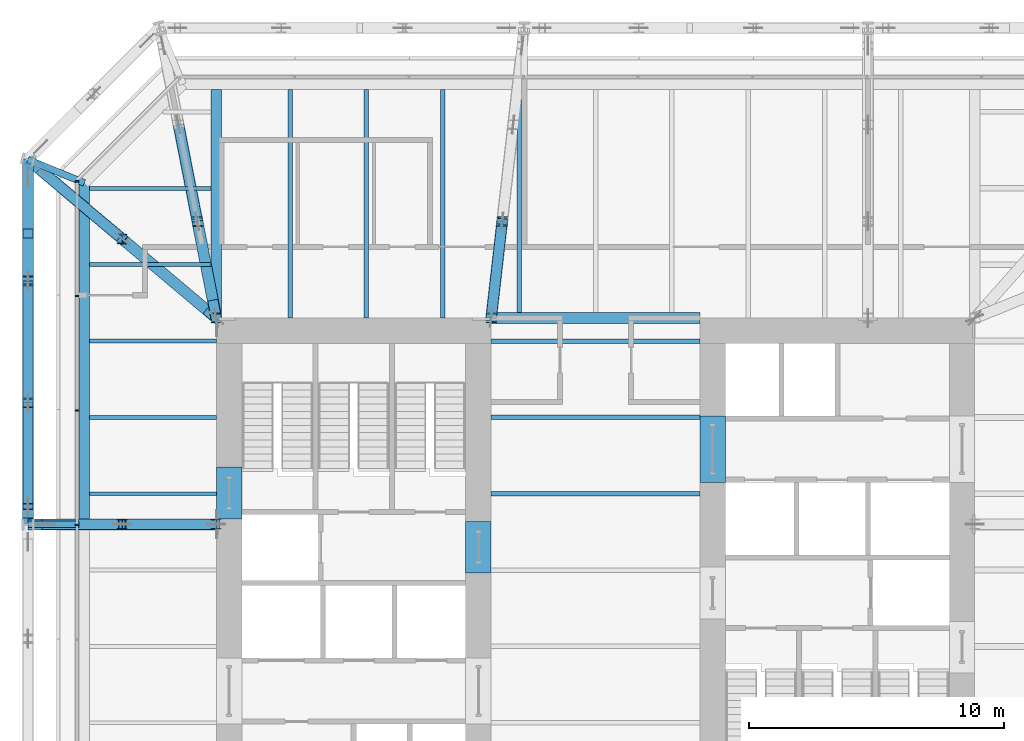
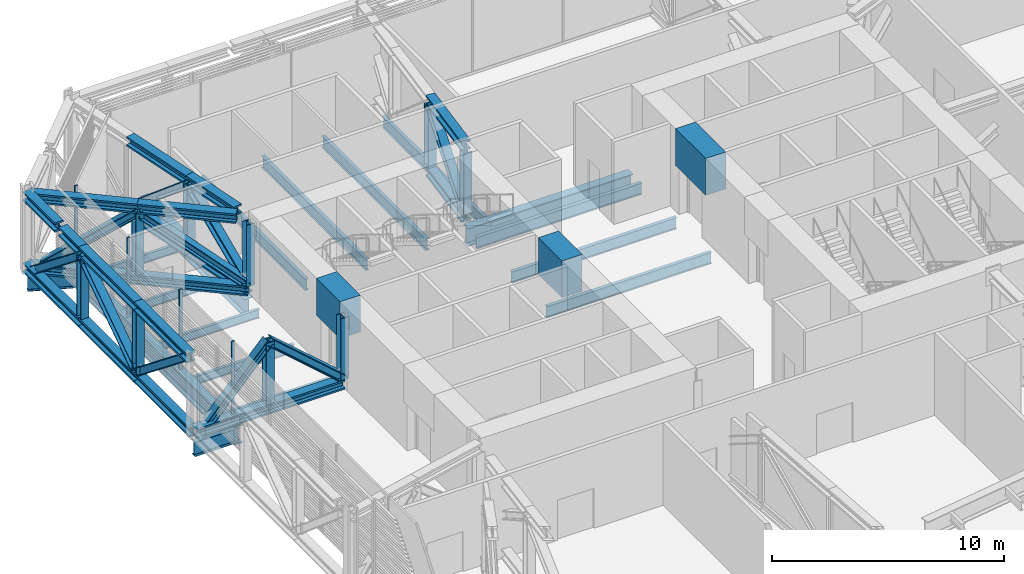
# One storey, part 14 of 31: 39 beams, 23 members, 1 element without a shape of its own.
"""IFC4 building model written with IfcOpenShell, lengths in metres."""

from ifc_helpers import new_model, si_unit, direction, frame, origin, origin_2d, place, context, subcontext, project, spatial, rectangle, i_section, extrude, material, layer, layer_set, material_profile, profile_set, type_object, element, aggregate, save


model = new_model("IFC4")

# Units and contexts
model_context = context("Model", 3, precision=1e-05, world=origin(), true_north=direction((0.0, 1.0)))
body_context = subcontext(model_context, "Body", "Model", "MODEL_VIEW")
ifc_project = project(units=[si_unit("LENGTHUNIT", "METRE"), si_unit("AREAUNIT", "SQUARE_METRE"), si_unit("VOLUMEUNIT", "CUBIC_METRE"), si_unit("PLANEANGLEUNIT", "RADIAN"), si_unit("MASSUNIT", "GRAM", prefix="KILO")], contexts=[model_context])

# Site, building, storey
site_placement = place(None, origin())
site = spatial("IfcSite", under=ifc_project, at=site_placement, CompositionType="ELEMENT")
building_placement = place(site_placement, origin())
building = spatial("IfcBuilding", under=site, at=building_placement, Name="Millrace Tower", CompositionType="ELEMENT")
storey_placement = place(building_placement, frame((0.0, 0.0, 120.39990234375)))
storey = spatial("IfcBuildingStorey", under=building, at=storey_placement, Name="L26", CompositionType="ELEMENT", Elevation=120.39990234375)

# Beams
ifc_material_1 = material(Name="Steel ASTM A992 Grade 50", Category="steel")
ifc_material_profile_1 = material_profile(ifc_material_1, i_section(OverallWidth=0.431884765625, OverallDepth=0.497802734375, WebThickness=0.0556640625, FlangeThickness=0.0888671875, FilletRadius=0.01513671875, at=origin_2d()))
ifc_profile_set_1 = profile_set([ifc_material_profile_1], Name="Steel ASTM A992 Grade 50")
beam_type_1 = type_object("IfcBeamType", Name="Belt truss chord W14x500", PredefinedType="BEAM", material=ifc_profile_set_1)
for number, where, z_axis, x_axis, name in (
    (1, (-22.300048828125, 16.12841796875, 0.2490234375), (0.0, -1.0, 0.0), (1.0, 0.0, 0.0), "BLT-L26-R14-B01"),
    (2, (-22.300048828125, 11.352294921875, 0.2490234375), (0.0, -1.0, 0.0), (1.0, 0.0, 0.0), "BLT-L26-R14-B02"),
    (3, (-22.300048828125, 11.352294921875, 3.9912109375), (0.0, -1.0, 0.0), (1.0, 0.0, 0.0), "BLT-L26-R14-T02"),
    (4, (-22.300048828125, 6.576171875, 0.2490234375), (0.0, -1.0, 0.0), (1.0, 0.0, 0.0), "BLT-L26-R14-B03"),
):
    element("IfcBeam", number, at=place(storey_placement, frame(where, z_axis=z_axis, x_axis=x_axis)), inside=storey, type_object=beam_type_1, Name=name, PredefinedType="BEAM", context=body_context, shape_type="SweptSolid", body=[
        extrude(i_section(OverallWidth=0.431884765625, OverallDepth=0.497802734375, WebThickness=0.0556640625, FlangeThickness=0.0888671875, FilletRadius=0.01513671875, at=origin_2d()), origin(), (0.0, 0.0, 1.0), 4.776123046875),
    ])
beam_1_placement = place(storey_placement, frame((-22.300048828125, 16.12841796875, 3.9912109375), z_axis=(0.0, -1.0, 0.0), x_axis=(1.0, 0.0, 0.0)))
element("IfcBeam", 5, at=beam_1_placement, inside=storey, type_object=beam_type_1, Name="BLT-L26-R14-T01-a", PredefinedType="BEAM", context=body_context, shape_type="SweptSolid", body=[
    extrude(i_section(OverallWidth=0.431884765625, OverallDepth=0.497802734375, WebThickness=0.0556640625, FlangeThickness=0.0888671875, FilletRadius=0.01513671875, at=origin_2d()), origin(), (0.0, 0.0, 1.0), 2.72802734375),
])
beam_2_placement = place(storey_placement, frame((-22.300048828125, 13.055419921875, 3.9912109375), z_axis=(0.0, -1.0, 0.0), x_axis=(1.0, 0.0, 0.0)))
element("IfcBeam", 6, at=beam_2_placement, inside=storey, type_object=beam_type_1, Name="BLT-L26-R14-T01-b", PredefinedType="BEAM", context=body_context, shape_type="SweptSolid", body=[
    extrude(i_section(OverallWidth=0.431884765625, OverallDepth=0.497802734375, WebThickness=0.0556640625, FlangeThickness=0.0888671875, FilletRadius=0.01513671875, at=origin_2d()), origin(), (0.0, 0.0, 1.0), 1.703125),
])
beam_3_placement = place(storey_placement, frame((-22.300048828125, 6.576171875, 3.9912109375), z_axis=(0.0, -1.0, 0.0), x_axis=(1.0, 0.0, 0.0)))
element("IfcBeam", 7, at=beam_3_placement, inside=storey, type_object=beam_type_1, Name="BLT-L26-R14-T03", PredefinedType="BEAM", context=body_context, shape_type="SweptSolid", body=[
    extrude(i_section(OverallWidth=0.431884765625, OverallDepth=0.497802734375, WebThickness=0.0556640625, FlangeThickness=0.0888671875, FilletRadius=0.01513671875, at=origin_2d()), origin(), (0.0, 0.0, 1.0), 4.53173828125),
])

# Members
ifc_material_2 = material(Name="Steel ASTM A992 Grade 50", Category="steel")
ifc_material_profile_2 = material_profile(ifc_material_2, i_section(OverallWidth=0.4013671875, OverallDepth=0.398681640625, WebThickness=0.02490234375, FlangeThickness=0.03955078125, FilletRadius=0.01513671875, at=origin_2d()))
ifc_profile_set_2 = profile_set([ifc_material_profile_2], Name="Steel ASTM A992 Grade 50")
member_type_1 = type_object("IfcMemberType", Name="Belt truss diagonal W14x211", PredefinedType="BRACE", material=ifc_profile_set_2)
member_1_placement = place(storey_placement, frame((-22.300048828125, 15.428466796875, 0.498046875), z_axis=(0.0, -0.782439131655, 0.62272707124), x_axis=(1.0, 0.0, 0.0)))
element("IfcMember", 8, at=member_1_placement, inside=storey, type_object=member_type_1, Name="BLT-L26-R14-D01", PredefinedType="BRACE", context=body_context, shape_type="SweptSolid", body=[
    extrude(i_section(OverallWidth=0.4013671875, OverallDepth=0.398681640625, WebThickness=0.02490234375, FlangeThickness=0.03955078125, FilletRadius=0.01513671875, at=origin_2d()), origin(), (0.0, 0.0, 1.0), 5.20947265625),
])
member_2_placement = place(storey_placement, frame((-22.300048828125, 6.576171875, 0.498046875), z_axis=(0.0, 0.827218174589, 0.561880851809), x_axis=(-1.0, 0.0, 0.0)))
element("IfcMember", 9, at=member_2_placement, inside=storey, type_object=member_type_1, Name="BLT-L26-R14-D02", PredefinedType="BRACE", context=body_context, shape_type="SweptSolid", body=[
    extrude(i_section(OverallWidth=0.4013671875, OverallDepth=0.398681640625, WebThickness=0.02490234375, FlangeThickness=0.03955078125, FilletRadius=0.01513671875, at=origin_2d()), origin(), (0.0, 0.0, 1.0), 5.773681640625),
])
member_3_placement = place(storey_placement, frame((-22.300048828125, 6.576171875, 0.498046875), z_axis=(0.0, -0.782439131655, 0.62272707124), x_axis=(1.0, 0.0, 0.0)))
element("IfcMember", 10, at=member_3_placement, inside=storey, type_object=member_type_1, Name="BLT-L26-R14-D03", PredefinedType="BRACE", context=body_context, shape_type="SweptSolid", body=[
    extrude(i_section(OverallWidth=0.4013671875, OverallDepth=0.398681640625, WebThickness=0.02490234375, FlangeThickness=0.03955078125, FilletRadius=0.01513671875, at=origin_2d()), origin(), (0.0, 0.0, 1.0), 5.20947265625),
])
ifc_material_3 = material(Name="Steel ASTM A992 Grade 50", Category="steel")
ifc_material_profile_3 = material_profile(ifc_material_3, i_section(OverallWidth=0.398681640625, OverallDepth=0.385986328125, WebThickness=0.02099609375, FlangeThickness=0.033203125, FilletRadius=0.01513671875, at=origin_2d()))
ifc_profile_set_3 = profile_set([ifc_material_profile_3], Name="Steel ASTM A992 Grade 50")
member_type_2 = type_object("IfcMemberType", Name="Belt truss post W14x176", PredefinedType="POST", material=ifc_profile_set_3)
for number, where, z_axis, x_axis, name in (
    (11, (-22.300048828125, 11.352294921875, 0.498046875), (0.0, 0.0, 1.0), (1.0, 0.0, 0.0), "BLT-L26-R14-V01"),
    (12, (-22.300048828125, 6.576171875, 0.498046875), (0.0, 0.0, 1.0), (1.0, 0.0, 0.0), "BLT-L26-R14-V02"),
):
    element("IfcMember", number, at=place(storey_placement, frame(where, z_axis=z_axis, x_axis=x_axis)), inside=storey, type_object=member_type_2, Name=name, PredefinedType="POST", context=body_context, shape_type="SweptSolid", body=[
        extrude(i_section(OverallWidth=0.398681640625, OverallDepth=0.385986328125, WebThickness=0.02099609375, FlangeThickness=0.033203125, FilletRadius=0.01513671875, at=origin_2d()), origin(), (0.0, 0.0, 1.0), 3.244140625),
    ])

# Curtain wall, members
ifc_material_4 = material(Name="Aluminium and glass", Category="aluminium")
ifc_layer = layer(ifc_material_4, 0.14990234375)
ifc_layer_set = layer_set([ifc_layer], Name="Aluminium and glass")
curtain_wall_type = type_object("IfcCurtainWallType", Name="CW-5 truss and plant storey louvred infill", PredefinedType="NOTDEFINED", material=ifc_layer_set)
curtain_wall_placement = place(storey_placement, origin())
curtain_wall = element("IfcCurtainWall", 13, at=curtain_wall_placement, inside=storey, type_object=curtain_wall_type, Name="Curtain wall B-F08 L26", PredefinedType="NOTDEFINED")
ifc_material_5 = material(Name="Aluminium", Category="aluminium")
ifc_material_profile_4 = material_profile(ifc_material_5, rectangle(XDim=0.06494140625, YDim=0.14990234375, at=origin_2d()))
ifc_profile_set_4 = profile_set([ifc_material_profile_4], Name="Aluminium")
member_type_3 = type_object("IfcMemberType", Name="CW-5 truss and plant storey louvred infill mullion", PredefinedType="MULLION", material=ifc_profile_set_4)
member_4_placement = place(storey_placement, frame((-20.375, 15.267578125, 0.14013671875), z_axis=(0.0, 0.0, 1.0), x_axis=(0.0, -1.0, 0.0)))
member_4 = element("IfcMember", 14, at=member_4_placement, type_object=member_type_3, Name="CW5 mullion B-F08.1", PredefinedType="MULLION", context=body_context, shape_type="SweptSolid", body=[
    extrude(rectangle(XDim=0.06494140625, YDim=0.14990234375, at=origin_2d()), origin(), (0.0, 0.0, 1.0), 4.199951171875),
])
member_5_placement = place(storey_placement, frame((-20.375, 10.767578125, 0.14013671875), z_axis=(0.0, 0.0, 1.0), x_axis=(0.0, -1.0, 0.0)))
member_5 = element("IfcMember", 15, at=member_5_placement, type_object=member_type_3, Name="CW5 mullion B-F08.2", PredefinedType="MULLION", context=body_context, shape_type="SweptSolid", body=[
    extrude(rectangle(XDim=0.06494140625, YDim=0.14990234375, at=origin_2d()), origin(), (0.0, 0.0, 1.0), 4.199951171875),
])
member_6_placement = place(storey_placement, frame((-20.375, 6.267578125, 0.14013671875), z_axis=(0.0, 0.0, 1.0), x_axis=(0.0, -1.0, 0.0)))
member_6 = element("IfcMember", 16, at=member_6_placement, type_object=member_type_3, Name="CW5 mullion B-F08.3", PredefinedType="MULLION", context=body_context, shape_type="SweptSolid", body=[
    extrude(rectangle(XDim=0.06494140625, YDim=0.14990234375, at=origin_2d()), origin(), (0.0, 0.0, 1.0), 4.199951171875),
])
member_7_placement = place(storey_placement, frame((-20.375, 1.767578125, 0.14013671875), z_axis=(0.0, 0.0, 1.0), x_axis=(0.0, -1.0, 0.0)))
member_7 = element("IfcMember", 17, at=member_7_placement, type_object=member_type_3, Name="CW5 mullion B-F08.4", PredefinedType="MULLION", context=body_context, shape_type="SweptSolid", body=[
    extrude(rectangle(XDim=0.06494140625, YDim=0.14990234375, at=origin_2d()), origin(), (0.0, 0.0, 1.0), 4.199951171875),
])
aggregate(curtain_wall, [member_4, member_5, member_6, member_7])

# Beams
ifc_material_6 = material(Name="Concrete C80", Category="concrete")
ifc_material_profile_5 = material_profile(ifc_material_6, rectangle(XDim=1.0, YDim=1.93994140625, at=origin_2d()))
ifc_profile_set_5 = profile_set([ifc_material_profile_5], Name="Concrete C80")
beam_type_2 = type_object("IfcBeamType", Name="Coupling beam 1000 x 1940 Concrete C80, 1300 opening", PredefinedType="BEAM", material=ifc_profile_set_5)
beam_4_placement = place(storey_placement, frame((-14.39990234375, 2.011474609375, 3.3701171875), z_axis=(0.0, 1.0, 0.0), x_axis=(-1.0, 0.0, 0.0)))
element("IfcBeam", 18, at=beam_4_placement, inside=storey, type_object=beam_type_2, Name="Coupling beam W L26", PredefinedType="BEAM", context=body_context, shape_type="SweptSolid", body=[
    extrude(rectangle(XDim=1.0, YDim=1.93994140625, at=origin_2d()), origin(), (0.0, 0.0, 1.0), 2.037109375),
])
beam_5_placement = place(storey_placement, frame((-4.60009765625, -0.118408203125, 3.3701171875), z_axis=(0.0, 1.0, 0.0), x_axis=(-1.0, 0.0, 0.0)))
element("IfcBeam", 19, at=beam_5_placement, inside=storey, type_object=beam_type_2, Name="Coupling beam W L26", PredefinedType="BEAM", context=body_context, shape_type="SweptSolid", body=[
    extrude(rectangle(XDim=1.0, YDim=1.93994140625, at=origin_2d()), origin(), (0.0, 0.0, 1.0), 2.036865234375),
])
ifc_material_7 = material(Name="Concrete C80", Category="concrete")
ifc_material_profile_6 = material_profile(ifc_material_7, rectangle(XDim=1.0, YDim=1.93994140625, at=origin_2d()))
ifc_profile_set_6 = profile_set([ifc_material_profile_6], Name="Concrete C80")
beam_type_3 = type_object("IfcBeamType", Name="Coupling beam 1000 x 1940 Concrete C80, 2000 opening", PredefinedType="BEAM", material=ifc_profile_set_6)
beam_6_placement = place(storey_placement, frame((4.60009765625, 6.050048828125, 3.3701171875), z_axis=(0.0, -1.0, 0.0), x_axis=(1.0, 0.0, 0.0)))
element("IfcBeam", 20, at=beam_6_placement, inside=storey, type_object=beam_type_3, Name="Coupling beam E L26", PredefinedType="BEAM", context=body_context, shape_type="SweptSolid", body=[
    extrude(rectangle(XDim=1.0, YDim=1.93994140625, at=origin_2d()), origin(), (0.0, 0.0, 1.0), 2.60009765625),
])
ifc_material_8 = material(Name="Steel ASTM A992 Grade 50", Category="steel")
ifc_material_profile_7 = material_profile(ifc_material_8, i_section(OverallWidth=0.15234375, OverallDepth=0.449462890625, WebThickness=0.007568359375, FlangeThickness=0.0107421875, FilletRadius=0.01025390625, at=origin_2d()))
ifc_profile_set_7 = profile_set([ifc_material_profile_7], Name="Steel ASTM A992 Grade 50")
beam_type_4 = type_object("IfcBeamType", Name="Floor beam W18x35", PredefinedType="JOIST", material=ifc_profile_set_7)
for number, where, z_axis, x_axis, name in (
    (21, (-19.87841796875, 3.0, -0.474609375), (1.0, 0.0, 0.0), (0.0, 1.0, 0.0), "BM-B-L26-S1-S026"),
    (22, (-19.87841796875, 6.0, -0.474609375), (1.0, 0.0, 0.0), (0.0, 1.0, 0.0), "BM-B-L26-S1-S029"),
    (23, (-19.87841796875, 9.0, -0.474609375), (1.0, 0.0, 0.0), (0.0, 1.0, 0.0), "BM-B-L26-S1-S032"),
):
    element("IfcBeam", number, at=place(storey_placement, frame(where, z_axis=z_axis, x_axis=x_axis)), inside=storey, type_object=beam_type_4, Name=name, PredefinedType="JOIST", context=body_context, shape_type="SweptSolid", body=[
        extrude(i_section(OverallWidth=0.15234375, OverallDepth=0.449462890625, WebThickness=0.007568359375, FlangeThickness=0.0107421875, FilletRadius=0.01025390625, at=origin_2d()), origin(), (0.0, 0.0, 1.0), 4.978515625),
    ])
for number, where, z_axis, x_axis, name in (
    (24, (-19.87841796875, 12.0, -0.474609375), (1.0, 0.0, 0.0), (0.0, 1.0, 0.0), "BM-B-L26-S1-S034"),
    (25, (-19.87841796875, 15.0, -0.474609375), (1.0, 0.0, 0.0), (0.0, 1.0, 0.0), "BM-B-L26-S1-S036"),
):
    element("IfcBeam", number, at=place(storey_placement, frame(where, z_axis=z_axis, x_axis=x_axis)), inside=storey, type_object=beam_type_4, Name=name, PredefinedType="JOIST", context=body_context, shape_type="SweptSolid", body=[
        extrude(i_section(OverallWidth=0.15234375, OverallDepth=0.449462890625, WebThickness=0.007568359375, FlangeThickness=0.0107421875, FilletRadius=0.01025390625, at=origin_2d()), origin(), (0.0, 0.0, 1.0), 4.766357421875),
    ])
ifc_material_9 = material(Name="Steel ASTM A992 Grade 50", Category="steel")
ifc_material_profile_8 = material_profile(ifc_material_9, i_section(OverallWidth=0.177978515625, OverallDepth=0.599365234375, WebThickness=0.010009765625, FlangeThickness=0.012939453125, FilletRadius=0.012939453125, at=origin_2d()))
ifc_profile_set_8 = profile_set([ifc_material_profile_8], Name="Steel ASTM A992 Grade 50")
beam_type_5 = type_object("IfcBeamType", Name="Floor beam W24x55", PredefinedType="JOIST", material=ifc_profile_set_8)
for number, where, z_axis, x_axis, name in (
    (26, (-4.10009765625, 3.0, -0.549560546875), (1.0, 0.0, 0.0), (0.0, 1.0, 0.0), "BM-B-L26-S1-S025"),
    (27, (-4.10009765625, 6.0, -0.549560546875), (1.0, 0.0, 0.0), (0.0, 1.0, 0.0), "BM-B-L26-S1-S028"),
    (28, (-4.10009765625, 9.0, -0.549560546875), (1.0, 0.0, 0.0), (0.0, 1.0, 0.0), "BM-B-L26-S1-S031"),
):
    element("IfcBeam", number, at=place(storey_placement, frame(where, z_axis=z_axis, x_axis=x_axis)), inside=storey, type_object=beam_type_5, Name=name, PredefinedType="JOIST", context=body_context, shape_type="SweptSolid", body=[
        extrude(i_section(OverallWidth=0.177978515625, OverallDepth=0.599365234375, WebThickness=0.010009765625, FlangeThickness=0.012939453125, FilletRadius=0.012939453125, at=origin_2d()), origin(), (0.0, 0.0, 1.0), 8.2001953125),
    ])
for number, where, z_axis, x_axis, name in (
    (29, (-12.0, 9.89990234375, -0.549560546875), (0.0, 1.0, 0.0), (-1.0, 0.0, 0.0), "BM-B-L26-S1-S040"),
    (30, (-9.0, 9.89990234375, -0.549560546875), (0.0, 1.0, 0.0), (-1.0, 0.0, 0.0), "BM-B-L26-S1-S042"),
    (31, (-6.0, 9.89990234375, -0.549560546875), (0.0, 1.0, 0.0), (-1.0, 0.0, 0.0), "BM-B-L26-S1-S044"),
):
    element("IfcBeam", number, at=place(storey_placement, frame(where, z_axis=z_axis, x_axis=x_axis)), inside=storey, type_object=beam_type_5, Name=name, PredefinedType="JOIST", context=body_context, shape_type="SweptSolid", body=[
        extrude(i_section(OverallWidth=0.177978515625, OverallDepth=0.599365234375, WebThickness=0.010009765625, FlangeThickness=0.012939453125, FilletRadius=0.012939453125, at=origin_2d()), origin(), (0.0, 0.0, 1.0), 8.978515625),
    ])
beam_7_placement = place(storey_placement, frame((-3.0, 10.112060546875, -0.549560546875), z_axis=(0.0, 1.0, 0.0), x_axis=(-1.0, 0.0, 0.0)))
element("IfcBeam", 32, at=beam_7_placement, inside=storey, type_object=beam_type_5, Name="BM-B-L26-S1-S046", PredefinedType="JOIST", context=body_context, shape_type="SweptSolid", body=[
    extrude(i_section(OverallWidth=0.177978515625, OverallDepth=0.599365234375, WebThickness=0.010009765625, FlangeThickness=0.012939453125, FilletRadius=0.012939453125, at=origin_2d()), origin(), (0.0, 0.0, 1.0), 8.766357421875),
])
ifc_material_10 = material(Name="Steel ASTM A992 Grade 50", Category="steel")
ifc_material_profile_9 = material_profile(ifc_material_10, i_section(OverallWidth=0.424072265625, OverallDepth=0.947509765625, WebThickness=0.02392578125, FlangeThickness=0.042724609375, FilletRadius=0.024169921875, at=origin_2d()))
ifc_profile_set_9 = profile_set([ifc_material_profile_9], Name="Steel ASTM A992 Grade 50")
beam_type_6 = type_object("IfcBeamType", Name="Girder short span W36x302", PredefinedType="BEAM", material=ifc_profile_set_9)
beam_8_placement = place(storey_placement, frame((-14.89990234375, 9.89990234375, -0.7236328125), z_axis=(0.0, 1.0, 0.0), x_axis=(-1.0, 0.0, 0.0)))
element("IfcBeam", 33, at=beam_8_placement, inside=storey, type_object=beam_type_6, Name="BM-B-L26-S1-G058", PredefinedType="BEAM", context=body_context, shape_type="SweptSolid", body=[
    extrude(i_section(OverallWidth=0.424072265625, OverallDepth=0.947509765625, WebThickness=0.02392578125, FlangeThickness=0.042724609375, FilletRadius=0.024169921875, at=origin_2d()), origin(), (0.0, 0.0, 1.0), 8.978515625),
])
beam_9_placement = place(storey_placement, frame((-4.10009765625, 9.89990234375, -0.7236328125), z_axis=(1.0, 0.0, 0.0), x_axis=(0.0, 1.0, 0.0)))
element("IfcBeam", 34, at=beam_9_placement, inside=storey, type_object=beam_type_6, Name="BM-B-L26-S1-G062", PredefinedType="BEAM", context=body_context, shape_type="SweptSolid", body=[
    extrude(i_section(OverallWidth=0.424072265625, OverallDepth=0.947509765625, WebThickness=0.02392578125, FlangeThickness=0.042724609375, FilletRadius=0.024169921875, at=origin_2d()), origin(), (0.0, 0.0, 1.0), 8.2001953125),
])
ifc_material_11 = material(Name="Steel ASTM A992 Grade 50", Category="steel")
ifc_material_profile_10 = material_profile(ifc_material_11, i_section(OverallWidth=0.2666015625, OverallDepth=0.7568359375, WebThickness=0.013916015625, FlangeThickness=0.019287109375, FilletRadius=0.0166015625, at=origin_2d()))
ifc_profile_set_10 = profile_set([ifc_material_profile_10], Name="Steel ASTM A992 Grade 50")
beam_type_7 = type_object("IfcBeamType", Name="Link beam W30x108", PredefinedType="BEAM", material=ifc_profile_set_10)
beam_10_placement = place(storey_placement, frame((-20.300048828125, 1.800048828125, -0.62841796875), z_axis=(-1.0, 0.0, 0.0), x_axis=(0.0, -1.0, 0.0)))
element("IfcBeam", 35, at=beam_10_placement, inside=storey, type_object=beam_type_7, Name="LNK-B-L26-S1-03", PredefinedType="BEAM", context=body_context, shape_type="SweptSolid", body=[
    extrude(i_section(OverallWidth=0.2666015625, OverallDepth=0.7568359375, WebThickness=0.013916015625, FlangeThickness=0.019287109375, FilletRadius=0.0166015625, at=origin_2d()), origin(), (0.0, 0.0, 1.0), 2.0),
])
beam_11_placement = place(storey_placement, frame((-20.089111328125, 15.212646484375, -0.62841796875), z_axis=(-0.923883789366, 0.382673155247, 0.0), x_axis=(-0.382673155247, -0.923883789366, 0.0)))
element("IfcBeam", 36, at=beam_11_placement, inside=storey, type_object=beam_type_7, Name="LNK-B-L26-S1-04", PredefinedType="BEAM", context=body_context, shape_type="SweptSolid", body=[
    extrude(i_section(OverallWidth=0.2666015625, OverallDepth=0.7568359375, WebThickness=0.013916015625, FlangeThickness=0.019287109375, FilletRadius=0.0166015625, at=origin_2d()), origin(), (0.0, 0.0, 1.0), 2.39306640625),
])
ifc_material_12 = material(Name="Steel ASTM A992 Grade 50", Category="steel")
ifc_material_profile_11 = material_profile(ifc_material_12, i_section(OverallWidth=0.431884765625, OverallDepth=0.497802734375, WebThickness=0.0556640625, FlangeThickness=0.0888671875, FilletRadius=0.01513671875, at=origin_2d()))
ifc_profile_set_11 = profile_set([ifc_material_profile_11], Name="Steel ASTM A992 Grade 50")
beam_type_8 = type_object("IfcBeamType", Name="Outrigger truss chord W14x500", PredefinedType="BEAM", material=ifc_profile_set_11)
for number, where, z_axis, x_axis, name in (
    (37, (-4.10009765625, 9.89990234375, 0.2490234375), (0.113303549201, 0.993560418766, 0.0), (-0.993560418766, 0.113303549201, 0.0), "BLT-L26-O12-B01"),
    (38, (-4.10009765625, 9.89990234375, 3.9912109375), (0.113303549201, 0.993560418766, 0.0), (-0.993560418766, 0.113303549201, 0.0), "BLT-L26-O12-T01"),
):
    element("IfcBeam", number, at=place(storey_placement, frame(where, z_axis=z_axis, x_axis=x_axis)), inside=storey, type_object=beam_type_8, Name=name, PredefinedType="BEAM", context=body_context, shape_type="SweptSolid", body=[
        extrude(i_section(OverallWidth=0.431884765625, OverallDepth=0.497802734375, WebThickness=0.0556640625, FlangeThickness=0.0888671875, FilletRadius=0.01513671875, at=origin_2d()), origin(), (0.0, 0.0, 1.0), 3.82470703125),
    ])
beam_12_placement = place(storey_placement, frame((-14.89990234375, 9.89990234375, 0.2490234375), z_axis=(-0.191870344964, 0.981420282409, 0.0), x_axis=(-0.981420282409, -0.191870344964, 0.0)))
element("IfcBeam", 39, at=beam_12_placement, inside=storey, type_object=beam_type_8, Name="BLT-L26-O13-B01", PredefinedType="BEAM", context=body_context, shape_type="SweptSolid", body=[
    extrude(i_section(OverallWidth=0.431884765625, OverallDepth=0.497802734375, WebThickness=0.0556640625, FlangeThickness=0.0888671875, FilletRadius=0.01513671875, at=origin_2d()), origin(), (0.0, 0.0, 1.0), 3.8720703125),
])
for number, where, z_axis, x_axis, name in (
    (40, (-15.642822265625, 13.699951171875, 0.2490234375), (-0.191809612089, 0.981432153901, 0.0), (-0.981432153901, -0.191809612089, 0.0), "BLT-L26-O13-B02"),
    (41, (-15.642822265625, 13.699951171875, 3.9912109375), (-0.191809612089, 0.981432153901, 0.0), (-0.981432153901, -0.191809612089, 0.0), "BLT-L26-O13-T02"),
):
    element("IfcBeam", number, at=place(storey_placement, frame(where, z_axis=z_axis, x_axis=x_axis)), inside=storey, type_object=beam_type_8, Name=name, PredefinedType="BEAM", context=body_context, shape_type="SweptSolid", body=[
        extrude(i_section(OverallWidth=0.431884765625, OverallDepth=0.497802734375, WebThickness=0.0556640625, FlangeThickness=0.0888671875, FilletRadius=0.01513671875, at=origin_2d()), origin(), (0.0, 0.0, 1.0), 3.871826171875),
    ])
beam_13_placement = place(storey_placement, frame((-14.89990234375, 9.89990234375, 0.2490234375), z_axis=(-0.765083966423, 0.643930527559, 0.0), x_axis=(-0.643930527559, -0.765083966423, 0.0)))
element("IfcBeam", 42, at=beam_13_placement, inside=storey, type_object=beam_type_8, Name="BLT-L26-O14-B01", PredefinedType="BEAM", context=body_context, shape_type="SweptSolid", body=[
    extrude(i_section(OverallWidth=0.431884765625, OverallDepth=0.497802734375, WebThickness=0.0556640625, FlangeThickness=0.0888671875, FilletRadius=0.01513671875, at=origin_2d()), origin(), (0.0, 0.0, 1.0), 4.83642578125),
])
for number, where, z_axis, x_axis, name in (
    (43, (-18.60009765625, 13.01416015625, 0.2490234375), (-0.765063033605, 0.643955397998, 0.0), (-0.643955397998, -0.765063033605, 0.0), "BLT-L26-O14-B02"),
    (44, (-18.60009765625, 13.01416015625, 3.9912109375), (-0.765063033605, 0.643955397998, 0.0), (-0.643955397998, -0.765063033605, 0.0), "BLT-L26-O14-T02"),
):
    element("IfcBeam", number, at=place(storey_placement, frame(where, z_axis=z_axis, x_axis=x_axis)), inside=storey, type_object=beam_type_8, Name=name, PredefinedType="BEAM", context=body_context, shape_type="SweptSolid", body=[
        extrude(i_section(OverallWidth=0.431884765625, OverallDepth=0.497802734375, WebThickness=0.0556640625, FlangeThickness=0.0888671875, FilletRadius=0.01513671875, at=origin_2d()), origin(), (0.0, 0.0, 1.0), 4.836181640625),
    ])
beam_14_placement = place(storey_placement, frame((-14.89990234375, 1.800048828125, 0.2490234375), z_axis=(-1.0, 0.0, 0.0), x_axis=(0.0, -1.0, 0.0)))
element("IfcBeam", 45, at=beam_14_placement, inside=storey, type_object=beam_type_8, Name="BLT-L26-O15-B01", PredefinedType="BEAM", context=body_context, shape_type="SweptSolid", body=[
    extrude(i_section(OverallWidth=0.431884765625, OverallDepth=0.497802734375, WebThickness=0.0556640625, FlangeThickness=0.0888671875, FilletRadius=0.01513671875, at=origin_2d()), origin(), (0.0, 0.0, 1.0), 3.7001953125),
])
beam_15_placement = place(storey_placement, frame((-18.60009765625, 1.800048828125, 0.2490234375), z_axis=(-1.0, 0.0, 0.0), x_axis=(0.0, -1.0, 0.0)))
element("IfcBeam", 46, at=beam_15_placement, inside=storey, type_object=beam_type_8, Name="BLT-L26-O15-B02", PredefinedType="BEAM", context=body_context, shape_type="SweptSolid", body=[
    extrude(i_section(OverallWidth=0.431884765625, OverallDepth=0.497802734375, WebThickness=0.0556640625, FlangeThickness=0.0888671875, FilletRadius=0.01513671875, at=origin_2d()), origin(), (0.0, 0.0, 1.0), 3.699951171875),
])
beam_16_placement = place(storey_placement, frame((-15.03759765625, 10.603271484375, 3.9912109375), z_axis=(-0.191813955013, 0.981431305116, 0.0), x_axis=(-0.981431305116, -0.191813955013, 0.0)))
element("IfcBeam", 47, at=beam_16_placement, inside=storey, type_object=beam_type_8, Name="BLT-L26-O13-T01", PredefinedType="BEAM", context=body_context, shape_type="SweptSolid", body=[
    extrude(i_section(OverallWidth=0.431884765625, OverallDepth=0.497802734375, WebThickness=0.0556640625, FlangeThickness=0.0888671875, FilletRadius=0.01513671875, at=origin_2d()), origin(), (0.0, 0.0, 1.0), 3.1552734375),
])
beam_17_placement = place(storey_placement, frame((-15.29248046875, 10.230224609375, 3.9912109375), z_axis=(-0.765073723358, 0.643942697627, 0.0), x_axis=(-0.643942697627, -0.765073723358, 0.0)))
element("IfcBeam", 48, at=beam_17_placement, inside=storey, type_object=beam_type_8, Name="BLT-L26-O14-T01", PredefinedType="BEAM", context=body_context, shape_type="SweptSolid", body=[
    extrude(i_section(OverallWidth=0.431884765625, OverallDepth=0.497802734375, WebThickness=0.0556640625, FlangeThickness=0.0888671875, FilletRadius=0.01513671875, at=origin_2d()), origin(), (0.0, 0.0, 1.0), 4.3232421875),
])

# Members
ifc_material_13 = material(Name="Steel ASTM A992 Grade 50", Category="steel")
ifc_material_profile_12 = material_profile(ifc_material_13, i_section(OverallWidth=0.4013671875, OverallDepth=0.398681640625, WebThickness=0.02490234375, FlangeThickness=0.03955078125, FilletRadius=0.01513671875, at=origin_2d()))
ifc_profile_set_12 = profile_set([ifc_material_profile_12], Name="Steel ASTM A992 Grade 50")
member_type_4 = type_object("IfcMemberType", Name="Outrigger truss diagonal W14x211", PredefinedType="BRACE", material=ifc_profile_set_12)
member_8_placement = place(storey_placement, frame((-4.10009765625, 9.89990234375, 0.498046875), z_axis=(0.086406590565, 0.757700609663, 0.646856774892), x_axis=(-0.993560418766, 0.113303549201, 0.0)))
element("IfcMember", 49, at=member_8_placement, inside=storey, type_object=member_type_4, Name="BLT-L26-O12-D01", PredefinedType="BRACE", context=body_context, shape_type="SweptSolid", body=[
    extrude(i_section(OverallWidth=0.4013671875, OverallDepth=0.398681640625, WebThickness=0.02490234375, FlangeThickness=0.03955078125, FilletRadius=0.01513671875, at=origin_2d()), origin(), (0.0, 0.0, 1.0), 5.01513671875),
])
member_9_placement = place(storey_placement, frame((-14.89990234375, 9.89990234375, 0.498046875), z_axis=(-0.147071773438, 0.752274779348, 0.642224687952), x_axis=(-0.981420282409, -0.191870344964, 0.0)))
element("IfcMember", 50, at=member_9_placement, inside=storey, type_object=member_type_4, Name="BLT-L26-O13-D01", PredefinedType="BRACE", context=body_context, shape_type="SweptSolid", body=[
    extrude(i_section(OverallWidth=0.4013671875, OverallDepth=0.398681640625, WebThickness=0.02490234375, FlangeThickness=0.03955078125, FilletRadius=0.01513671875, at=origin_2d()), origin(), (0.0, 0.0, 1.0), 5.051513671875),
])
member_10_placement = place(storey_placement, frame((-16.385498046875, 17.5, 0.498046875), z_axis=(0.147024487164, -0.75228012581, 0.642229252281), x_axis=(0.981432153901, 0.191809612089, 0.0)))
element("IfcMember", 51, at=member_10_placement, inside=storey, type_object=member_type_4, Name="BLT-L26-O13-D02", PredefinedType="BRACE", context=body_context, shape_type="SweptSolid", body=[
    extrude(i_section(OverallWidth=0.4013671875, OverallDepth=0.398681640625, WebThickness=0.02490234375, FlangeThickness=0.03955078125, FilletRadius=0.01513671875, at=origin_2d()), origin(), (0.0, 0.0, 1.0), 5.05126953125),
])
member_11_placement = place(storey_placement, frame((-14.89990234375, 9.89990234375, 0.498046875), z_axis=(-0.635377700141, 0.534763654196, 0.557066434381), x_axis=(-0.643930527559, -0.765083966423, 0.0)))
element("IfcMember", 52, at=member_11_placement, inside=storey, type_object=member_type_4, Name="BLT-L26-O14-D01", PredefinedType="BRACE", context=body_context, shape_type="SweptSolid", body=[
    extrude(i_section(OverallWidth=0.4013671875, OverallDepth=0.398681640625, WebThickness=0.02490234375, FlangeThickness=0.03955078125, FilletRadius=0.01513671875, at=origin_2d()), origin(), (0.0, 0.0, 1.0), 5.82373046875),
])
member_12_placement = place(storey_placement, frame((-21.764404296875, 15.677734375, 0.498046875), z_axis=(0.601967562979, -0.506709830422, 0.617154924532), x_axis=(0.643979412485, 0.76504281991, 0.0)))
element("IfcMember", 53, at=member_12_placement, inside=storey, type_object=member_type_4, Name="BLT-L26-O14-D02", PredefinedType="BRACE", context=body_context, shape_type="SweptSolid", body=[
    extrude(i_section(OverallWidth=0.4013671875, OverallDepth=0.398681640625, WebThickness=0.02490234375, FlangeThickness=0.03955078125, FilletRadius=0.01513671875, at=origin_2d()), origin(), (0.0, 0.0, 1.0), 5.256591796875),
])
member_13_placement = place(storey_placement, frame((-14.89990234375, 1.800048828125, 0.498046875), z_axis=(-0.751924780066, 0.0, 0.659248909838), x_axis=(0.0, -1.0, 0.0)))
element("IfcMember", 54, at=member_13_placement, inside=storey, type_object=member_type_4, Name="BLT-L26-O15-D01", PredefinedType="BRACE", context=body_context, shape_type="SweptSolid", body=[
    extrude(i_section(OverallWidth=0.4013671875, OverallDepth=0.398681640625, WebThickness=0.02490234375, FlangeThickness=0.03955078125, FilletRadius=0.01513671875, at=origin_2d()), origin(), (0.0, 0.0, 1.0), 4.9208984375),
])
member_14_placement = place(storey_placement, frame((-21.60009765625, 1.800048828125, 0.498046875), z_axis=(0.678940738137, 0.0, 0.734193076852), x_axis=(0.0, 1.0, 0.0)))
element("IfcMember", 55, at=member_14_placement, inside=storey, type_object=member_type_4, Name="BLT-L26-O15-D02", PredefinedType="BRACE", context=body_context, shape_type="SweptSolid", body=[
    extrude(i_section(OverallWidth=0.4013671875, OverallDepth=0.398681640625, WebThickness=0.02490234375, FlangeThickness=0.03955078125, FilletRadius=0.01513671875, at=origin_2d()), origin(), (0.0, 0.0, 1.0), 4.418701171875),
])
ifc_material_14 = material(Name="Steel ASTM A992 Grade 50", Category="steel")
ifc_material_profile_13 = material_profile(ifc_material_14, i_section(OverallWidth=0.398681640625, OverallDepth=0.385986328125, WebThickness=0.02099609375, FlangeThickness=0.033203125, FilletRadius=0.01513671875, at=origin_2d()))
ifc_profile_set_13 = profile_set([ifc_material_profile_13], Name="Steel ASTM A992 Grade 50")
member_type_5 = type_object("IfcMemberType", Name="Outrigger truss post W14x176", PredefinedType="POST", material=ifc_profile_set_13)
for number, where, z_axis, x_axis, name in (
    (56, (-4.10009765625, 9.89990234375, 0.498046875), (0.0, 0.0, 1.0), (1.0, 0.0, 0.0), "BLT-L26-O12-V00"),
    (57, (-3.666748046875, 13.699951171875, 0.498046875), (0.0, 0.0, 1.0), (1.0, 0.0, 0.0), "BLT-L26-O12-V01"),
    (58, (-14.89990234375, 9.89990234375, 0.498046875), (0.0, 0.0, 1.0), (1.0, 0.0, 0.0), "BLT-L26-O13-V00"),
    (59, (-15.642822265625, 13.699951171875, 0.498046875), (0.0, 0.0, 1.0), (1.0, 0.0, 0.0), "BLT-L26-O13-V01"),
    (60, (-18.60009765625, 13.01416015625, 0.498046875), (0.0, 0.0, 1.0), (1.0, 0.0, 0.0), "BLT-L26-O14-V01"),
    (61, (-14.89990234375, 1.800048828125, 0.498046875), (0.0, 0.0, 1.0), (1.0, 0.0, 0.0), "BLT-L26-O15-V00"),
    (62, (-18.60009765625, 1.800048828125, 0.498046875), (0.0, 0.0, 1.0), (1.0, 0.0, 0.0), "BLT-L26-O15-V01"),
):
    element("IfcMember", number, at=place(storey_placement, frame(where, z_axis=z_axis, x_axis=x_axis)), inside=storey, type_object=member_type_5, Name=name, PredefinedType="POST", context=body_context, shape_type="SweptSolid", body=[
        extrude(i_section(OverallWidth=0.398681640625, OverallDepth=0.385986328125, WebThickness=0.02099609375, FlangeThickness=0.033203125, FilletRadius=0.01513671875, at=origin_2d()), origin(), (0.0, 0.0, 1.0), 3.244140625),
    ])

# Beam
ifc_material_15 = material(Name="Steel ASTM A992 Grade 50", Category="steel")
ifc_material_profile_14 = material_profile(ifc_material_15, i_section(OverallWidth=0.421630859375, OverallDepth=0.937255859375, WebThickness=0.021240234375, FlangeThickness=0.03662109375, FilletRadius=0.024169921875, at=origin_2d()))
ifc_profile_set_14 = profile_set([ifc_material_profile_14], Name="Steel ASTM A992 Grade 50")
beam_type_9 = type_object("IfcBeamType", Name="Ring beam medium span W36x262", PredefinedType="SPANDREL", material=ifc_profile_set_14)
beam_18_placement = place(storey_placement, frame((-20.089111328125, 1.800048828125, -0.718505859375), z_axis=(0.0, 1.0, 0.0), x_axis=(-1.0, 0.0, 0.0)))
element("IfcBeam", 63, at=beam_18_placement, inside=storey, type_object=beam_type_9, Name="RNG-B-L26-S1-03", PredefinedType="SPANDREL", context=body_context, shape_type="SweptSolid", body=[
    extrude(i_section(OverallWidth=0.421630859375, OverallDepth=0.937255859375, WebThickness=0.021240234375, FlangeThickness=0.03662109375, FilletRadius=0.024169921875, at=origin_2d()), origin(), (0.0, 0.0, 1.0), 13.41259765625),
])

save(model, "model.ifc")
